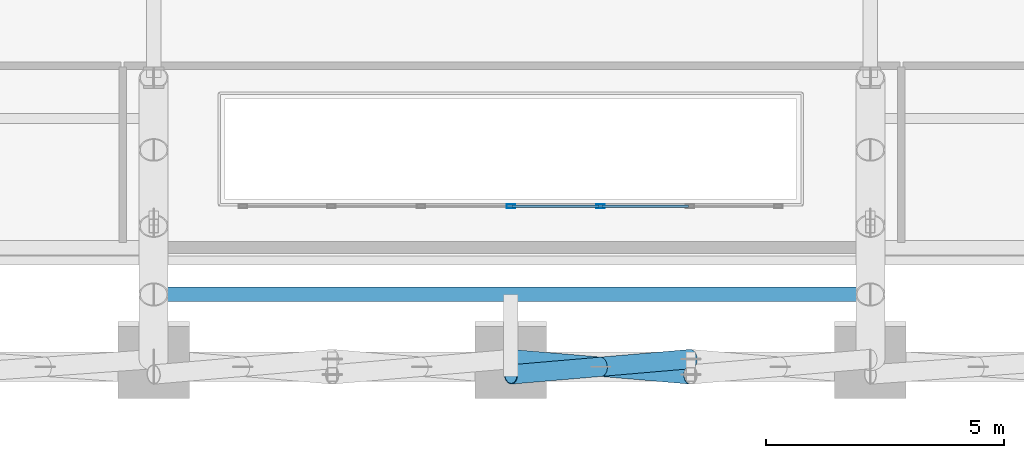
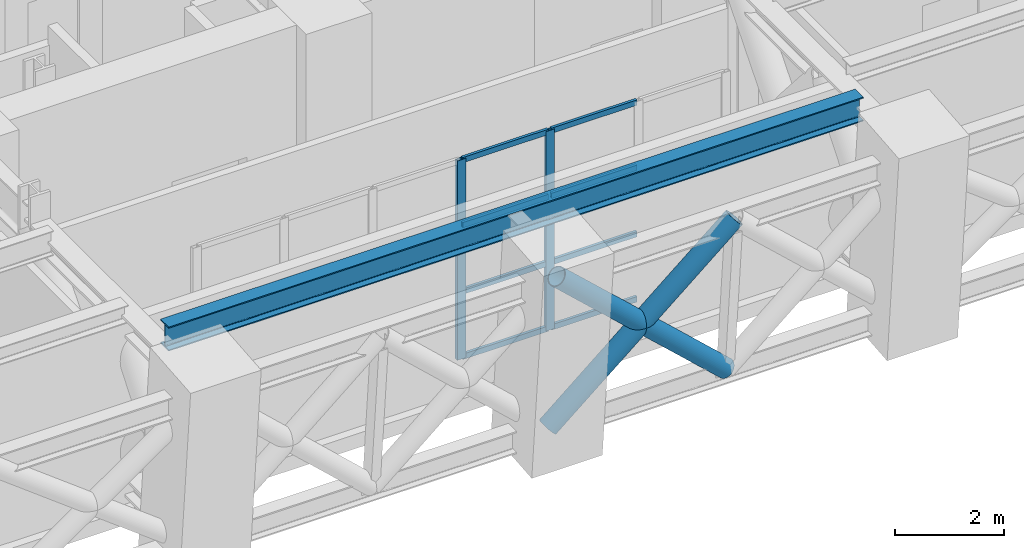
# One storey, part 3 of 12: 13 members, 1 beam, 1 element without a shape of its own.
"""IFC4 building model written with IfcOpenShell, lengths in metres."""

from ifc_helpers import new_model, si_unit, direction, frame, origin, origin_2d, place, context, subcontext, project, spatial, hollow_rectangle, hollow_circle, i_section, extrude, material, layer, layer_set, material_profile, profile_set, type_object, element, aggregate, save


model = new_model("IFC4")

# Units and contexts
model_context = context("Model", 3, precision=1e-05, world=origin(), true_north=direction((0.0, 1.0)))
body_context = subcontext(model_context, "Body", "Model", "MODEL_VIEW")
ifc_project = project(units=[si_unit("LENGTHUNIT", "METRE"), si_unit("AREAUNIT", "SQUARE_METRE"), si_unit("VOLUMEUNIT", "CUBIC_METRE"), si_unit("PLANEANGLEUNIT", "RADIAN"), si_unit("MASSUNIT", "GRAM", prefix="KILO")], contexts=[model_context])

# Site, building, storey
site_placement = place(None, origin())
site = spatial("IfcSite", under=ifc_project, at=site_placement, CompositionType="ELEMENT")
building_placement = place(site_placement, origin())
building = spatial("IfcBuilding", under=site, at=building_placement, Name="Zarnavel Station Tower", CompositionType="ELEMENT")
storey_placement = place(building_placement, frame((0.0, 0.0, 74.5)))
storey = spatial("IfcBuildingStorey", under=building, at=storey_placement, Name="L20", CompositionType="ELEMENT", Elevation=74.5)

# Members
ifc_material_1 = material(Name="Steel S460M", Category="steel")
ifc_material_profile_1 = material_profile(ifc_material_1, hollow_circle(Radius=0.203125, WallThickness=0.01611328125, at=origin_2d()), Name="CHS406.4x16")
ifc_profile_set_1 = profile_set([ifc_material_profile_1], Name="Steel S460M")
member_type_1 = type_object("IfcMemberType", Name="BT_DIAG_CHS406", PredefinedType="BRACE", material=ifc_profile_set_1)
member_1_placement = place(storey_placement, frame((28.800048828125, 19.4404296875, 0.39990234375), z_axis=(0.724177785745, -0.062198169672, 0.686802680777), x_axis=(0.085572938474, 0.996331908653, 0.0)))
element("IfcMember", 1, at=member_1_placement, inside=storey, type_object=member_type_1, Name="L20 Belt Truss Continuous Diagonal A1 3", PredefinedType="BRACE", context=body_context, shape_type="SweptSolid", body=[
    extrude(hollow_circle(Radius=0.203125, WallThickness=0.01611328125, at=origin_2d()), origin(), (0.0, 0.0, 1.0), 5.212646484375),
])
for number, where, z_axis, x_axis, name in (
    (2, (32.574951171875, 19.4404296875, 0.39990234375), (-0.724177785745, -0.062198169672, 0.686802680777), (0.085572938474, -0.996331908653, 0.0), "L20 Belt Truss Split Diagonal B1 Lower 3"),
    (3, (30.6875, 19.2783203125, 2.18994140625), (-0.724177785745, -0.062198169672, 0.686802680777), (0.085572938474, -0.996331908653, 0.0), "L20 Belt Truss Split Diagonal B1 Upper 3"),
):
    element("IfcMember", number, at=place(storey_placement, frame(where, z_axis=z_axis, x_axis=x_axis)), inside=storey, type_object=member_type_1, Name=name, PredefinedType="BRACE", context=body_context, shape_type="SweptSolid", body=[
        extrude(hollow_circle(Radius=0.203125, WallThickness=0.01611328125, at=origin_2d()), origin(), (0.0, 0.0, 1.0), 2.6064453125),
    ])

# Curtain wall, members
ifc_material_2 = material(Name="Aluminium Dark Anodised and Solar-Control Glass", Category="aluminium")
ifc_layer = layer(ifc_material_2, 0.179931640625)
ifc_layer_set = layer_set([ifc_layer], Name="CWS3")
curtain_wall_type = type_object("IfcCurtainWallType", Name="CWS3", PredefinedType="NOTDEFINED", material=ifc_layer_set)
curtain_wall_placement = place(storey_placement, origin())
curtain_wall = element("IfcCurtainWall", 4, at=curtain_wall_placement, inside=storey, type_object=curtain_wall_type, Name="L20 Curtain Wall CWS3-L20-AS", PredefinedType="NOTDEFINED")
ifc_material_3 = material(Name="Steel S355J2 (Black Fluoropolymer Coated)", Category="steel")
ifc_material_profile_2 = material_profile(ifc_material_3, hollow_rectangle(XDim=0.080078125, YDim=0.179931640625, WallThickness=0.00634765625, at=origin_2d()), Name="RHS180x80x6.3")
ifc_profile_set_2 = profile_set([ifc_material_profile_2], Name="Steel S355J2 (Black Fluoropolymer Coated)")
member_type_2 = type_object("IfcMemberType", Name="CWS3_MUL", PredefinedType="MULLION", material=ifc_profile_set_2)
member_2_placement = place(storey_placement, frame((28.800048828125, 22.64990234375, 0.0), z_axis=(0.0, 0.0, 1.0), x_axis=(0.0, 1.0, 0.0)))
member_2 = element("IfcMember", 5, at=member_2_placement, type_object=member_type_2, Name="CW3 mullion 4", PredefinedType="MULLION", context=body_context, shape_type="SweptSolid", body=[
    extrude(hollow_rectangle(XDim=0.080078125, YDim=0.179931640625, WallThickness=0.00634765625, at=origin_2d()), origin(), (0.0, 0.0, 1.0), 4.47998046875),
])
member_3_placement = place(storey_placement, frame((30.683349609375, 22.64990234375, 0.0), z_axis=(0.0, 0.0, 1.0), x_axis=(0.0, 1.0, 0.0)))
member_3 = element("IfcMember", 6, at=member_3_placement, type_object=member_type_2, Name="CW3 mullion 5", PredefinedType="MULLION", context=body_context, shape_type="SweptSolid", body=[
    extrude(hollow_rectangle(XDim=0.080078125, YDim=0.179931640625, WallThickness=0.00634765625, at=origin_2d()), origin(), (0.0, 0.0, 1.0), 4.47998046875),
])
ifc_material_4 = material(Name="Steel S355J2 (Black Fluoropolymer Coated)", Category="steel")
ifc_material_profile_3 = material_profile(ifc_material_4, hollow_rectangle(XDim=0.06005859375, YDim=0.1201171875, WallThickness=0.0048828125, at=origin_2d()), Name="RHS120x60x5")
ifc_profile_set_3 = profile_set([ifc_material_profile_3], Name="Steel S355J2 (Black Fluoropolymer Coated)")
member_type_3 = type_object("IfcMemberType", Name="CWS3_TRN", PredefinedType="USERDEFINED", material=ifc_profile_set_3)
member_4_placement = place(storey_placement, frame((28.830078125, 22.64990234375, 0.030029296875), z_axis=(1.0, 0.0, 0.0), x_axis=(0.0, 1.0, 0.0)))
member_4 = element("IfcMember", 7, at=member_4_placement, type_object=member_type_3, Name="CW3 transom 4.1", ObjectType="TRANSOM", PredefinedType="USERDEFINED", context=body_context, shape_type="SweptSolid", body=[
    extrude(hollow_rectangle(XDim=0.06005859375, YDim=0.1201171875, WallThickness=0.0048828125, at=origin_2d()), origin(), (0.0, 0.0, 1.0), 1.8232421875),
])
member_5_placement = place(storey_placement, frame((28.830078125, 22.64990234375, 1.493408203125), z_axis=(1.0, 0.0, 0.0), x_axis=(0.0, 1.0, 0.0)))
member_5 = element("IfcMember", 8, at=member_5_placement, type_object=member_type_3, Name="CW3 transom 4.2", ObjectType="TRANSOM", PredefinedType="USERDEFINED", context=body_context, shape_type="SweptSolid", body=[
    extrude(hollow_rectangle(XDim=0.06005859375, YDim=0.1201171875, WallThickness=0.0048828125, at=origin_2d()), origin(), (0.0, 0.0, 1.0), 1.8232421875),
])
member_6_placement = place(storey_placement, frame((28.830078125, 22.64990234375, 2.98681640625), z_axis=(1.0, 0.0, 0.0), x_axis=(0.0, 1.0, 0.0)))
member_6 = element("IfcMember", 9, at=member_6_placement, type_object=member_type_3, Name="CW3 transom 4.3", ObjectType="TRANSOM", PredefinedType="USERDEFINED", context=body_context, shape_type="SweptSolid", body=[
    extrude(hollow_rectangle(XDim=0.06005859375, YDim=0.1201171875, WallThickness=0.0048828125, at=origin_2d()), origin(), (0.0, 0.0, 1.0), 1.8232421875),
])
member_7_placement = place(storey_placement, frame((28.830078125, 22.64990234375, 4.449951171875), z_axis=(1.0, 0.0, 0.0), x_axis=(0.0, 1.0, 0.0)))
member_7 = element("IfcMember", 10, at=member_7_placement, type_object=member_type_3, Name="CW3 transom 4.4", ObjectType="TRANSOM", PredefinedType="USERDEFINED", context=body_context, shape_type="SweptSolid", body=[
    extrude(hollow_rectangle(XDim=0.06005859375, YDim=0.1201171875, WallThickness=0.0048828125, at=origin_2d()), origin(), (0.0, 0.0, 1.0), 1.8232421875),
])
member_8_placement = place(storey_placement, frame((30.71337890625, 22.64990234375, 0.030029296875), z_axis=(1.0, 0.0, 0.0), x_axis=(0.0, 1.0, 0.0)))
member_8 = element("IfcMember", 11, at=member_8_placement, type_object=member_type_3, Name="CW3 transom 5.1", ObjectType="TRANSOM", PredefinedType="USERDEFINED", context=body_context, shape_type="SweptSolid", body=[
    extrude(hollow_rectangle(XDim=0.06005859375, YDim=0.1201171875, WallThickness=0.0048828125, at=origin_2d()), origin(), (0.0, 0.0, 1.0), 1.8232421875),
])
member_9_placement = place(storey_placement, frame((30.71337890625, 22.64990234375, 1.493408203125), z_axis=(1.0, 0.0, 0.0), x_axis=(0.0, 1.0, 0.0)))
member_9 = element("IfcMember", 12, at=member_9_placement, type_object=member_type_3, Name="CW3 transom 5.2", ObjectType="TRANSOM", PredefinedType="USERDEFINED", context=body_context, shape_type="SweptSolid", body=[
    extrude(hollow_rectangle(XDim=0.06005859375, YDim=0.1201171875, WallThickness=0.0048828125, at=origin_2d()), origin(), (0.0, 0.0, 1.0), 1.8232421875),
])
member_10_placement = place(storey_placement, frame((30.71337890625, 22.64990234375, 2.98681640625), z_axis=(1.0, 0.0, 0.0), x_axis=(0.0, 1.0, 0.0)))
member_10 = element("IfcMember", 13, at=member_10_placement, type_object=member_type_3, Name="CW3 transom 5.3", ObjectType="TRANSOM", PredefinedType="USERDEFINED", context=body_context, shape_type="SweptSolid", body=[
    extrude(hollow_rectangle(XDim=0.06005859375, YDim=0.1201171875, WallThickness=0.0048828125, at=origin_2d()), origin(), (0.0, 0.0, 1.0), 1.8232421875),
])
member_11_placement = place(storey_placement, frame((30.71337890625, 22.64990234375, 4.449951171875), z_axis=(1.0, 0.0, 0.0), x_axis=(0.0, 1.0, 0.0)))
member_11 = element("IfcMember", 14, at=member_11_placement, type_object=member_type_3, Name="CW3 transom 5.4", ObjectType="TRANSOM", PredefinedType="USERDEFINED", context=body_context, shape_type="SweptSolid", body=[
    extrude(hollow_rectangle(XDim=0.06005859375, YDim=0.1201171875, WallThickness=0.0048828125, at=origin_2d()), origin(), (0.0, 0.0, 1.0), 1.8232421875),
])
aggregate(curtain_wall, [member_2, member_3, member_4, member_5, member_6, member_7, member_8, member_9, member_10, member_11])

# Beam
ifc_material_5 = material(Name="Steel S355J2", Category="steel")
ifc_material_profile_4 = material_profile(ifc_material_5, i_section(OverallWidth=0.300048828125, OverallDepth=0.5400390625, WebThickness=0.012451171875, FlangeThickness=0.02392578125, FilletRadius=0.027099609375, at=origin_2d()), Name="HEA550")
ifc_profile_set_4 = profile_set([ifc_material_profile_4], Name="Steel S355J2")
beam_type = type_object("IfcBeamType", Name="FB_HEA550", PredefinedType="BEAM", material=ifc_profile_set_4)
beam_placement = place(storey_placement, frame((21.445068359375, 20.800048828125, 4.2099609375), z_axis=(1.0, 0.0, 0.0), x_axis=(0.0, 1.0, 0.0)))
element("IfcBeam", 15, at=beam_placement, inside=storey, type_object=beam_type, Name="L20 Atrium South Edge Girder", PredefinedType="BEAM", context=body_context, shape_type="SweptSolid", body=[
    extrude(i_section(OverallWidth=0.300048828125, OverallDepth=0.5400390625, WebThickness=0.012451171875, FlangeThickness=0.02392578125, FilletRadius=0.027099609375, at=origin_2d()), origin(), (0.0, 0.0, 1.0), 14.760009765625),
])

save(model, "model.ifc")
